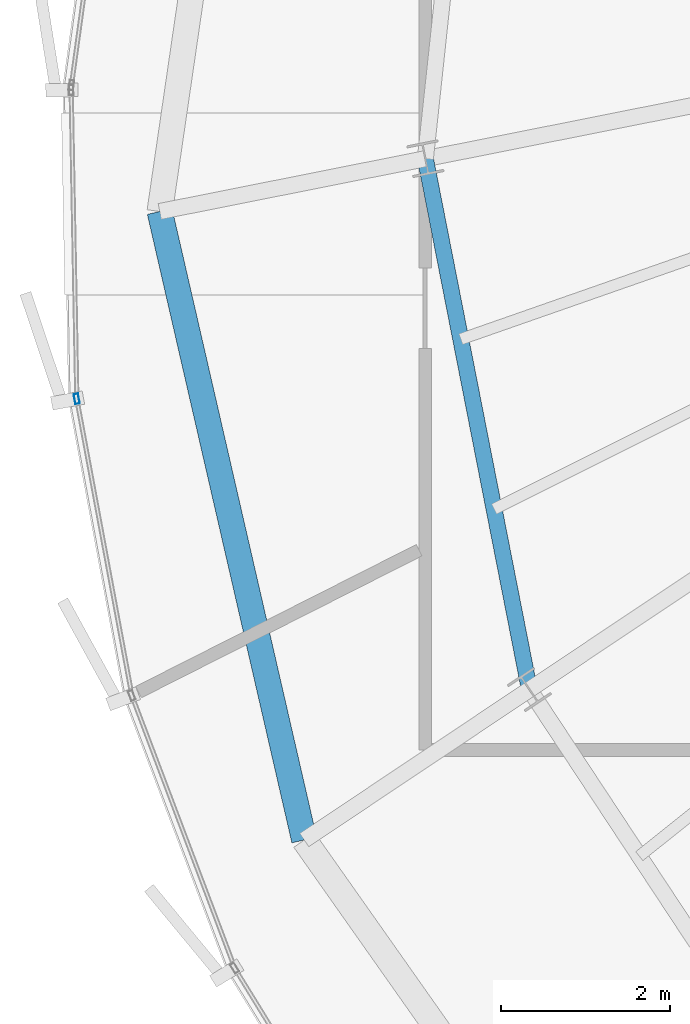
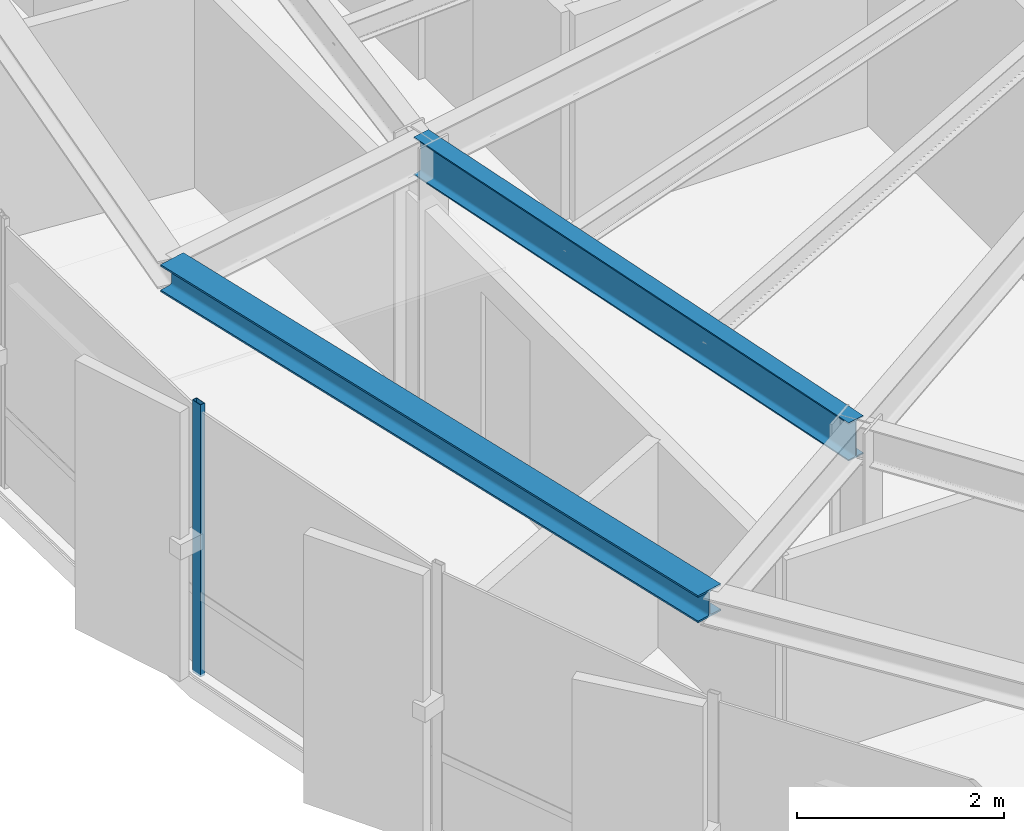
# One storey, part 5 of 32: 2 beams, 1 member, 1 element without a shape of its own.
"""IFC4 building model written with IfcOpenShell, lengths in metres."""

from ifc_helpers import new_model, si_unit, direction, frame, origin, origin_2d, place, context, subcontext, project, spatial, hollow_rectangle, i_section, extrude, source, transform, mapped, material, layer, layer_set, material_profile, profile_set, type_object, element, aggregate, save


model = new_model("IFC4")

# Units and contexts
model_context = context("Model", 3, precision=1e-05, world=origin(), true_north=direction((0.0, 1.0)))
body_context = subcontext(model_context, "Body", "Model", "MODEL_VIEW")
ifc_project = project(units=[si_unit("LENGTHUNIT", "METRE"), si_unit("AREAUNIT", "SQUARE_METRE"), si_unit("VOLUMEUNIT", "CUBIC_METRE"), si_unit("PLANEANGLEUNIT", "RADIAN"), si_unit("MASSUNIT", "GRAM", prefix="KILO"), si_unit("THERMODYNAMICTEMPERATUREUNIT", "KELVIN")], contexts=[model_context])

# Site, building, storey
site_placement = place(None, origin())
site = spatial("IfcSite", under=ifc_project, at=site_placement, CompositionType="ELEMENT")
building_placement = place(site_placement, origin())
building = spatial("IfcBuilding", under=site, at=building_placement, Name="Kethvar Cultural Tower", CompositionType="ELEMENT")
storey_placement = place(building_placement, frame((0.0, 0.0, 280.14990234375)))
storey = spatial("IfcBuildingStorey", under=building, at=storey_placement, Name="L74", CompositionType="ELEMENT", Elevation=280.14990234375)

# Beams
ifc_material_1 = material(Name="Steel S355J2", Category="steel")
ifc_material_profile_1 = material_profile(ifc_material_1, i_section(OverallWidth=0.18994140625, OverallDepth=0.449951171875, WebThickness=0.009521484375, FlangeThickness=0.0146484375, FilletRadius=0.02099609375, at=origin_2d()), Name="Steel S355J2 — IPE450")
ifc_profile_set_1 = profile_set([ifc_material_profile_1], Name="Steel S355J2 — IPE450")
beam_type_1 = type_object("IfcBeamType", Name="BM-IPE450", PredefinedType="BEAM", material=ifc_profile_set_1)
shared_shape_1 = source(origin(), body_context, "Body", "SweptSolid", [
    extrude(i_section(OverallWidth=0.18994140625, OverallDepth=0.449951171875, WebThickness=0.009521484375, FlangeThickness=0.0146484375, FilletRadius=0.02099609375, at=origin_2d()), origin(), (0.0, 0.0, 1.0), 6.391357421875),
])
beam_1_placement = place(storey_placement, frame((31.68310546875, 24.79296875, 2.983154296875), z_axis=(0.192405084368, -0.981315588131, 0.0), x_axis=(0.981315588131, 0.192405084368, 0.0)))
element("IfcBeam", 1, at=beam_1_placement, inside=storey, type_object=beam_type_1, Name="L74 Column Ring Tie Beam CR-09", PredefinedType="BEAM", context=body_context, shape_type="MappedRepresentation", body=[
    mapped(shared_shape_1, transform((0.0, 0.0, 0.0), scale=1.0)),
])
ifc_material_profile_2 = material_profile(ifc_material_1, i_section(OverallWidth=0.300048828125, OverallDepth=0.320068359375, WebThickness=0.011474609375, FlangeThickness=0.0205078125, FilletRadius=0.027099609375, at=origin_2d()), Name="Steel S355J2 — HEB320")
ifc_profile_set_2 = profile_set([ifc_material_profile_2], Name="Steel S355J2 — HEB320")
beam_type_2 = type_object("IfcBeamType", Name="BM-SP320", PredefinedType="SPANDREL", material=ifc_profile_set_2)
shared_shape_2 = source(origin(), body_context, "Body", "SweptSolid", [
    extrude(i_section(OverallWidth=0.300048828125, OverallDepth=0.320068359375, WebThickness=0.011474609375, FlangeThickness=0.0205078125, FilletRadius=0.027099609375, at=origin_2d()), origin(), (0.0, 0.0, 1.0), 7.619384765625),
])
beam_2_placement = place(storey_placement, frame((28.54443359375, 24.168701171875, 3.048095703125), z_axis=(0.224133998424, -0.974558336248, 0.0), x_axis=(0.974558336248, 0.224133998424, 0.0)))
element("IfcBeam", 2, at=beam_2_placement, inside=storey, type_object=beam_type_2, Name="L74 Perimeter Spandrel Beam SP-09", PredefinedType="SPANDREL", context=body_context, shape_type="MappedRepresentation", body=[
    mapped(shared_shape_2, transform((0.0, 0.0, 0.0), scale=1.0)),
])

# Curtain wall, member
ifc_material_2 = material(Name="Aluminium 6063-T6", Category="aluminium")
ifc_layer = layer(ifc_material_2, 0.179931640625, Name="Aluminium 6063-T6", Category="aluminium")
ifc_layer_set = layer_set([ifc_layer], Name="Aluminium 6063-T6 (180 mm)")
curtain_wall_type = type_object("IfcCurtainWallType", Name="CW-SYS-05-Z56", PredefinedType="NOTDEFINED", material=ifc_layer_set)
curtain_wall_placement = place(storey_placement, origin())
curtain_wall = element("IfcCurtainWall", 3, at=curtain_wall_placement, inside=storey, type_object=curtain_wall_type, Name="L74 Curtain Wall Run 03", PredefinedType="NOTDEFINED")
ifc_material_profile_3 = material_profile(ifc_material_2, hollow_rectangle(XDim=0.054931640625, YDim=0.1201171875, WallThickness=0.00390625, at=origin_2d()), Name="Aluminium 6063-T6 — RHS120x55x4")
ifc_profile_set_3 = profile_set([ifc_material_profile_3], Name="Aluminium 6063-T6 — RHS120x55x4")
member_type = type_object("IfcMemberType", Name="CW-SYS-05-Z56-MUL", PredefinedType="MULLION", material=ifc_profile_set_3)
shared_shape_3 = source(origin(), body_context, "Body", "SweptSolid", [
    extrude(hollow_rectangle(XDim=0.054931640625, YDim=0.1201171875, WallThickness=0.00390625, at=origin_2d()), origin(), (0.0, 0.0, 1.0), 3.210205078125),
])
member_placement = place(storey_placement, frame((27.56396484375, 21.9560546875, 0.0), z_axis=(0.0, 0.0, 1.0), x_axis=(0.983114670809, 0.182990557245, 0.0)))
member = element("IfcMember", 4, at=member_placement, type_object=member_type, Name="CW-L74-R03 Mullion 2", PredefinedType="MULLION", context=body_context, shape_type="MappedRepresentation", body=[
    mapped(shared_shape_3, transform((0.0, 0.0, 0.0), scale=1.0)),
])
aggregate(curtain_wall, [member])

save(model, "model.ifc")
